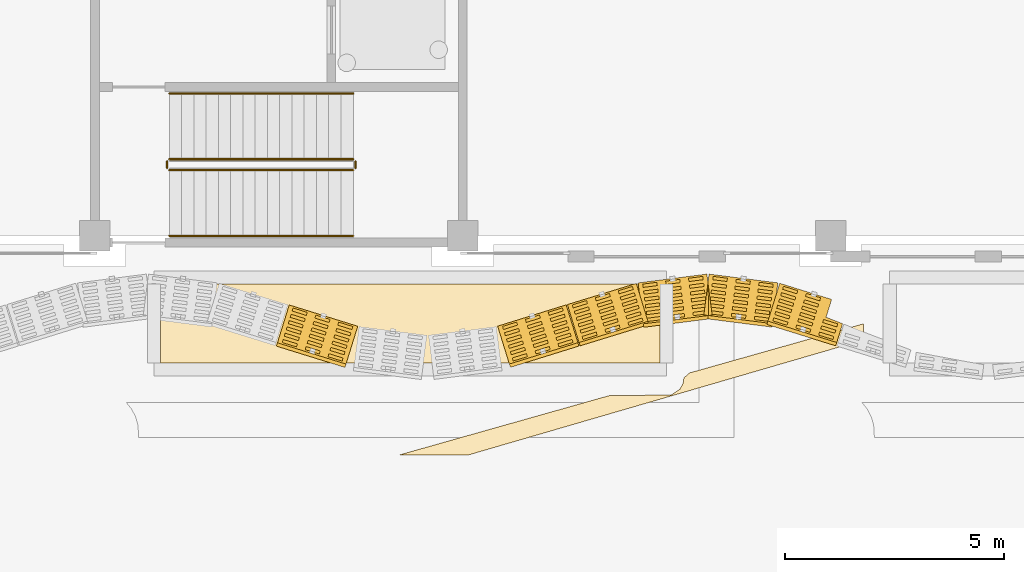
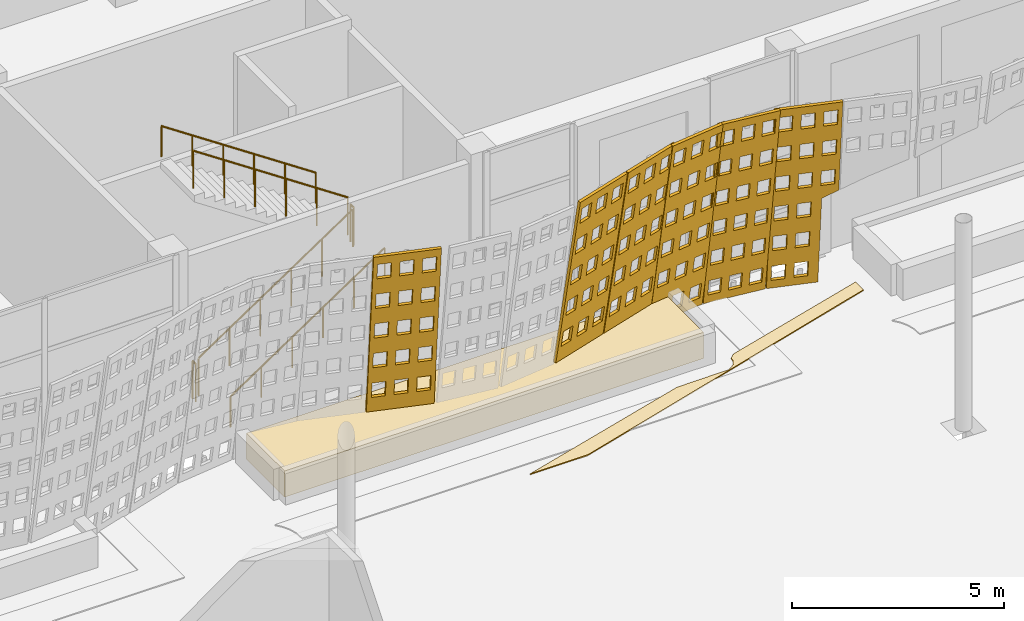
# One storey, part 174 of 210: 8 coverings, 6 railings.
"""IFC4 building model written with IfcOpenShell, lengths in metres."""

from ifc_helpers import new_model, si_unit, direction, frame, origin, origin_2d, place, context, subcontext, project, spatial, polyline, rectangle, circle, outline, extrude, material, layer, layer_set, type_object, element, save


model = new_model("IFC4")

# Units and contexts
model_context = context("Model", 3, precision=1e-05, world=origin(), true_north=direction((0.0, 1.0)))
body_context = subcontext(model_context, "Body", "Model", "MODEL_VIEW")
ifc_project = project(units=[si_unit("LENGTHUNIT", "METRE"), si_unit("AREAUNIT", "SQUARE_METRE"), si_unit("VOLUMEUNIT", "CUBIC_METRE"), si_unit("PLANEANGLEUNIT", "RADIAN"), si_unit("MASSUNIT", "GRAM", prefix="KILO")], contexts=[model_context])

# Site, building, storey
site_placement = place(None, origin())
site = spatial("IfcSite", under=ifc_project, at=site_placement, CompositionType="ELEMENT")
building_placement = place(site_placement, origin())
building = spatial("IfcBuilding", under=site, at=building_placement, Name="Rain Tree Exposition and Congress Centre", CompositionType="ELEMENT")
storey_placement = place(building_placement, origin())
storey = spatial("IfcBuildingStorey", under=building, at=storey_placement, Name="L00", CompositionType="ELEMENT", Elevation=0.0)

# Railings
ifc_material_1 = material(Name="Aluminium and glass balustrade", Category="aluminium")
railing_type_1 = type_object("IfcRailingType", Name="Concourse guard 1100", PredefinedType="GUARDRAIL", material=ifc_material_1)
railing_1_placement = place(storey_placement, frame((77.300048828125, 77.10009765625, 0.1875)))
element("IfcRailing", 1, at=railing_1_placement, inside=storey, type_object=railing_type_1, Name="L00 ST-C2 stair guard 1", PredefinedType="GUARDRAIL", context=body_context, shape_type="SweptSolid", body=[
    extrude(circle(Radius=0.02392578125, at=origin_2d()), frame((0.0, 0.0, 1.076171875), z_axis=(0.830904186295, 0.0, 0.556415522067), x_axis=(0.0, 1.0, 0.0)), (0.0, 0.0, 1.0), 5.0546875),
    extrude(circle(Radius=0.02099609375, at=origin_2d()), origin(), (0.0, 0.0, 1.0), 1.052001953125),
    extrude(circle(Radius=0.02099609375, at=origin_2d()), frame((0.840087890625, 0.0, 0.5625)), (0.0, 0.0, 1.0), 1.052001953125),
    extrude(circle(Radius=0.02099609375, at=origin_2d()), frame((1.679931640625, 0.0, 1.125)), (0.0, 0.0, 1.0), 1.052001953125),
    extrude(circle(Radius=0.02099609375, at=origin_2d()), frame((2.52001953125, 0.0, 1.6875)), (0.0, 0.0, 1.0), 1.052001953125),
    extrude(circle(Radius=0.02099609375, at=origin_2d()), frame((3.35986328125, 0.0, 2.25)), (0.0, 0.0, 1.0), 1.052001953125),
    extrude(circle(Radius=0.02099609375, at=origin_2d()), frame((4.199951171875, 0.0, 2.8125)), (0.0, 0.0, 1.0), 1.052001953125),
])
railing_2_placement = place(storey_placement, frame((81.550048828125, 77.14990234375, 3.0)))
element("IfcRailing", 2, at=railing_2_placement, inside=storey, type_object=railing_type_1, Name="L00 ST-C2 stair guard 2", PredefinedType="GUARDRAIL", context=body_context, shape_type="SweptSolid", body=[
    extrude(circle(Radius=0.02392578125, at=origin_2d()), frame((0.0, 0.0, 1.076171875), z_axis=(0.0, 1.0, 0.0), x_axis=(-1.0, 0.0, 0.0)), (0.0, 0.0, 1.0), 0.150146484375),
    extrude(circle(Radius=0.02099609375, at=origin_2d()), origin(), (0.0, 0.0, 1.0), 1.052001953125),
    extrude(circle(Radius=0.02099609375, at=origin_2d()), frame((0.0, 0.150146484375, 0.0)), (0.0, 0.0, 1.0), 1.052001953125),
])
railing_3_placement = place(storey_placement, frame((81.5, 77.35009765625, 3.1875)))
element("IfcRailing", 3, at=railing_3_placement, inside=storey, type_object=railing_type_1, Name="L00 ST-C2 stair guard 3", PredefinedType="GUARDRAIL", context=body_context, shape_type="SweptSolid", body=[
    extrude(circle(Radius=0.02392578125, at=origin_2d()), frame((0.0, 0.0, 1.076171875), z_axis=(-0.830904186295, 0.0, 0.556415522067), x_axis=(0.0, -1.0, 0.0)), (0.0, 0.0, 1.0), 5.0546875),
    extrude(circle(Radius=0.02099609375, at=origin_2d()), origin(), (0.0, 0.0, 1.0), 1.052001953125),
    extrude(circle(Radius=0.02099609375, at=origin_2d()), frame((-0.840087890625, 0.0, 0.5625)), (0.0, 0.0, 1.0), 1.052001953125),
    extrude(circle(Radius=0.02099609375, at=origin_2d()), frame((-1.679931640625, 0.0, 1.125)), (0.0, 0.0, 1.0), 1.052001953125),
    extrude(circle(Radius=0.02099609375, at=origin_2d()), frame((-2.52001953125, 0.0, 1.6875)), (0.0, 0.0, 1.0), 1.052001953125),
    extrude(circle(Radius=0.02099609375, at=origin_2d()), frame((-3.35986328125, 0.0, 2.25)), (0.0, 0.0, 1.0), 1.052001953125),
    extrude(circle(Radius=0.02099609375, at=origin_2d()), frame((-4.199951171875, 0.0, 2.8125)), (0.0, 0.0, 1.0), 1.052001953125),
])
railing_4_placement = place(storey_placement, frame((77.25, 77.14990234375, 0.0)))
element("IfcRailing", 4, at=railing_4_placement, inside=storey, type_object=railing_type_1, Name="L00 ST-C2 stair guard 4", PredefinedType="GUARDRAIL", context=body_context, shape_type="SweptSolid", body=[
    extrude(circle(Radius=0.02392578125, at=origin_2d()), frame((0.0, 0.0, 1.076171875), z_axis=(0.0, 1.0, 0.0), x_axis=(-1.0, 0.0, 0.0)), (0.0, 0.0, 1.0), 0.150146484375),
    extrude(circle(Radius=0.02099609375, at=origin_2d()), origin(), (0.0, 0.0, 1.0), 1.052001953125),
    extrude(circle(Radius=0.02099609375, at=origin_2d()), frame((0.0, 0.150146484375, 0.0)), (0.0, 0.0, 1.0), 1.052001953125),
])
ifc_material_2 = material(Name="Aluminium handrail", Category="aluminium")
railing_type_2 = type_object("IfcRailingType", Name="Concourse handrail 900", PredefinedType="HANDRAIL", material=ifc_material_2)
railing_5_placement = place(storey_placement, frame((77.300048828125, 75.60009765625, 0.1875)))
element("IfcRailing", 5, at=railing_5_placement, inside=storey, type_object=railing_type_2, Name="L00 ST-C2 stair handrail 1", PredefinedType="HANDRAIL", context=body_context, shape_type="SweptSolid", body=[
    extrude(circle(Radius=0.02392578125, at=origin_2d()), frame((0.0, 0.0, 0.8759765625), z_axis=(0.830904186295, 0.0, 0.556415522067), x_axis=(0.0, 1.0, 0.0)), (0.0, 0.0, 1.0), 5.0546875),
    extrude(circle(Radius=0.02099609375, at=origin_2d()), origin(), (0.0, 0.0, 1.0), 0.851806640625),
    extrude(circle(Radius=0.02099609375, at=origin_2d()), frame((0.840087890625, 0.0, 0.5625)), (0.0, 0.0, 1.0), 0.851806640625),
    extrude(circle(Radius=0.02099609375, at=origin_2d()), frame((1.679931640625, 0.0, 1.125)), (0.0, 0.0, 1.0), 0.851806640625),
    extrude(circle(Radius=0.02099609375, at=origin_2d()), frame((2.52001953125, 0.0, 1.6875)), (0.0, 0.0, 1.0), 0.851806640625),
    extrude(circle(Radius=0.02099609375, at=origin_2d()), frame((3.35986328125, 0.0, 2.25)), (0.0, 0.0, 1.0), 0.851806640625),
    extrude(circle(Radius=0.02099609375, at=origin_2d()), frame((4.199951171875, 0.0, 2.8125)), (0.0, 0.0, 1.0), 0.851806640625),
])
railing_6_placement = place(storey_placement, frame((81.5, 78.85009765625, 3.1875)))
element("IfcRailing", 6, at=railing_6_placement, inside=storey, type_object=railing_type_2, Name="L00 ST-C2 stair handrail 2", PredefinedType="HANDRAIL", context=body_context, shape_type="SweptSolid", body=[
    extrude(circle(Radius=0.02392578125, at=origin_2d()), frame((0.0, 0.0, 0.8759765625), z_axis=(-0.830904186295, 0.0, 0.556415522067), x_axis=(0.0, -1.0, 0.0)), (0.0, 0.0, 1.0), 5.0546875),
    extrude(circle(Radius=0.02099609375, at=origin_2d()), origin(), (0.0, 0.0, 1.0), 0.851806640625),
    extrude(circle(Radius=0.02099609375, at=origin_2d()), frame((-0.840087890625, 0.0, 0.5625)), (0.0, 0.0, 1.0), 0.851806640625),
    extrude(circle(Radius=0.02099609375, at=origin_2d()), frame((-1.679931640625, 0.0, 1.125)), (0.0, 0.0, 1.0), 0.851806640625),
    extrude(circle(Radius=0.02099609375, at=origin_2d()), frame((-2.52001953125, 0.0, 1.6875)), (0.0, 0.0, 1.0), 0.851806640625),
    extrude(circle(Radius=0.02099609375, at=origin_2d()), frame((-3.35986328125, 0.0, 2.25)), (0.0, 0.0, 1.0), 0.851806640625),
    extrude(circle(Radius=0.02099609375, at=origin_2d()), frame((-4.199951171875, 0.0, 2.8125)), (0.0, 0.0, 1.0), 0.851806640625),
])

# Coverings
ifc_material_3 = material(Name="Granite paving", Category="masonry")
ifc_layer_1 = layer(ifc_material_3, 0.030029296875)
ifc_layer_set_1 = layer_set([ifc_layer_1], Name="Granite paving")
covering_type_1 = type_object("IfcCoveringType", Name="Granite paving inlay 30", PredefinedType="FLOORING", material=ifc_layer_set_1)
covering_1_placement = place(storey_placement, origin())
element("IfcCovering", 7, at=covering_1_placement, inside=storey, type_object=covering_type_1, Name="Granite paving inlay 2", PredefinedType="FLOORING", context=body_context, shape_type="SweptSolid", body=[
    extrude(outline(polyline([(93.14990234375, 73.22119140625), (93.14990234375, 73.59130859375), (89.175537109375, 72.468505859375), (89.050048828125, 72.35400390625), (89.03271484375, 72.23388671875), (88.959228515625, 72.09619140625), (88.76611328125, 71.96728515625), (87.341064453125, 71.949951171875), (82.56298828125, 70.60009765625), (84.141357421875, 70.60009765625), (93.14990234375, 73.22119140625)])), origin(), (0.0, 0.0, 1.0), 0.030029296875),
])
ifc_material_4 = material(Name="Planting substrate", Category="soil")
ifc_layer_2 = layer(ifc_material_4, 0.75)
ifc_layer_set_2 = layer_set([ifc_layer_2], Name="Planting substrate")
covering_type_2 = type_object("IfcCoveringType", Name="Planting bed substrate 750", PredefinedType="FLOORING", material=ifc_layer_set_2)
covering_2_placement = place(storey_placement, frame((82.800048828125, 73.60009765625, 0.0), z_axis=(0.0, 0.0, 1.0), x_axis=(1.0, 0.0, 0.0)))
element("IfcCovering", 8, at=covering_2_placement, inside=storey, type_object=covering_type_2, Name="Planting bed", PredefinedType="FLOORING", context=body_context, shape_type="SweptSolid", body=[
    extrude(rectangle(XDim=11.39990234375, YDim=1.800048828125, at=origin_2d()), origin(), (0.0, 0.0, 1.0), 0.75),
])
ifc_material_5 = material(Name="Perforated terracotta", Category="masonry")
ifc_layer_3 = layer(ifc_material_5, 0.080078125)
ifc_layer_set_3 = layer_set([ifc_layer_3], Name="Perforated terracotta")
covering_type_3 = type_object("IfcCoveringType", Name="Terracotta screen 80", PredefinedType="CLADDING", material=ifc_layer_set_3)
covering_3_placement = place(storey_placement, frame((80.0, 73.949951171875, 0.0), z_axis=(0.293072736571, 0.943327870838, 0.155694891303), x_axis=(-0.954973588716, 0.296690823679, 0.0)))
element("IfcCovering", 9, at=covering_3_placement, inside=storey, type_object=covering_type_3, Name="concourse/screen/L00/051", PredefinedType="CLADDING", context=body_context, shape_type="SweptSolid", body=[
    extrude(outline(polyline([(-0.014892578125, 0.0), (-1.65283203125, 0.0), (-1.65283203125, 5.80859375), (-0.014892578125, 5.80859375), (-0.014892578125, 0.0)]), holes=[polyline([(-0.11865234375, 0.249755859375), (-0.11865234375, 0.71826171875), (-0.457275390625, 0.71826171875), (-0.457275390625, 0.249755859375), (-0.11865234375, 0.249755859375)]), polyline([(-0.11865234375, 1.218017578125), (-0.11865234375, 1.686279296875), (-0.457275390625, 1.686279296875), (-0.457275390625, 1.218017578125), (-0.11865234375, 1.218017578125)]), polyline([(-0.11865234375, 2.18603515625), (-0.11865234375, 2.654541015625), (-0.457275390625, 2.654541015625), (-0.457275390625, 2.18603515625), (-0.11865234375, 2.18603515625)]), polyline([(-0.11865234375, 3.154052734375), (-0.11865234375, 3.62255859375), (-0.457275390625, 3.62255859375), (-0.457275390625, 3.154052734375), (-0.11865234375, 3.154052734375)]), polyline([(-0.11865234375, 4.122314453125), (-0.11865234375, 4.5908203125), (-0.457275390625, 4.5908203125), (-0.457275390625, 4.122314453125), (-0.11865234375, 4.122314453125)]), polyline([(-0.11865234375, 5.09033203125), (-0.11865234375, 5.558837890625), (-0.457275390625, 5.558837890625), (-0.457275390625, 5.09033203125), (-0.11865234375, 5.09033203125)]), polyline([(-0.664794921875, 0.249755859375), (-0.664794921875, 0.71826171875), (-1.003173828125, 0.71826171875), (-1.003173828125, 0.249755859375), (-0.664794921875, 0.249755859375)]), polyline([(-0.664794921875, 1.218017578125), (-0.664794921875, 1.686279296875), (-1.003173828125, 1.686279296875), (-1.003173828125, 1.218017578125), (-0.664794921875, 1.218017578125)]), polyline([(-0.664794921875, 2.18603515625), (-0.664794921875, 2.654541015625), (-1.003173828125, 2.654541015625), (-1.003173828125, 2.18603515625), (-0.664794921875, 2.18603515625)]), polyline([(-0.664794921875, 3.154052734375), (-0.664794921875, 3.62255859375), (-1.003173828125, 3.62255859375), (-1.003173828125, 3.154052734375), (-0.664794921875, 3.154052734375)]), polyline([(-0.664794921875, 4.122314453125), (-0.664794921875, 4.5908203125), (-1.003173828125, 4.5908203125), (-1.003173828125, 4.122314453125), (-0.664794921875, 4.122314453125)]), polyline([(-0.664794921875, 5.09033203125), (-0.664794921875, 5.558837890625), (-1.003173828125, 5.558837890625), (-1.003173828125, 5.09033203125), (-0.664794921875, 5.09033203125)]), polyline([(-1.210693359375, 0.249755859375), (-1.210693359375, 0.71826171875), (-1.54931640625, 0.71826171875), (-1.54931640625, 0.249755859375), (-1.210693359375, 0.249755859375)]), polyline([(-1.210693359375, 1.218017578125), (-1.210693359375, 1.686279296875), (-1.54931640625, 1.686279296875), (-1.54931640625, 1.218017578125), (-1.210693359375, 1.218017578125)]), polyline([(-1.210693359375, 2.18603515625), (-1.210693359375, 2.654541015625), (-1.54931640625, 2.654541015625), (-1.54931640625, 2.18603515625), (-1.210693359375, 2.18603515625)]), polyline([(-1.210693359375, 3.154052734375), (-1.210693359375, 3.62255859375), (-1.54931640625, 3.62255859375), (-1.54931640625, 3.154052734375), (-1.210693359375, 3.154052734375)]), polyline([(-1.210693359375, 4.122314453125), (-1.210693359375, 4.5908203125), (-1.54931640625, 4.5908203125), (-1.54931640625, 4.122314453125), (-1.210693359375, 4.122314453125)]), polyline([(-1.210693359375, 5.09033203125), (-1.210693359375, 5.558837890625), (-1.54931640625, 5.558837890625), (-1.54931640625, 5.09033203125), (-1.210693359375, 5.09033203125)])]), origin(), (0.0, 0.0, 1.0), 0.080078125),
])
covering_4_placement = place(storey_placement, frame((84.800048828125, 73.455078125, 0.0), z_axis=(-0.293072736571, 0.943327870838, 0.155694891303), x_axis=(-0.954973588716, -0.296690823679, 0.0)))
element("IfcCovering", 10, at=covering_4_placement, inside=storey, type_object=covering_type_3, Name="concourse/screen/L00/054", PredefinedType="CLADDING", context=body_context, shape_type="SweptSolid", body=[
    extrude(outline(polyline([(-0.02197265625, 0.0), (-1.659912109375, 0.0), (-1.659912109375, 5.80859375), (-0.02197265625, 5.80859375), (-0.02197265625, 0.0)]), holes=[polyline([(-0.125732421875, 0.249755859375), (-0.125732421875, 0.71826171875), (-0.464111328125, 0.71826171875), (-0.464111328125, 0.249755859375), (-0.125732421875, 0.249755859375)]), polyline([(-0.125732421875, 1.218017578125), (-0.125732421875, 1.686279296875), (-0.464111328125, 1.686279296875), (-0.464111328125, 1.218017578125), (-0.125732421875, 1.218017578125)]), polyline([(-0.125732421875, 2.18603515625), (-0.125732421875, 2.654541015625), (-0.464111328125, 2.654541015625), (-0.464111328125, 2.18603515625), (-0.125732421875, 2.18603515625)]), polyline([(-0.125732421875, 3.154052734375), (-0.125732421875, 3.62255859375), (-0.464111328125, 3.62255859375), (-0.464111328125, 3.154052734375), (-0.125732421875, 3.154052734375)]), polyline([(-0.125732421875, 4.122314453125), (-0.125732421875, 4.5908203125), (-0.464111328125, 4.5908203125), (-0.464111328125, 4.122314453125), (-0.125732421875, 4.122314453125)]), polyline([(-0.125732421875, 5.09033203125), (-0.125732421875, 5.558837890625), (-0.464111328125, 5.558837890625), (-0.464111328125, 5.09033203125), (-0.125732421875, 5.09033203125)]), polyline([(-0.671630859375, 0.249755859375), (-0.671630859375, 0.71826171875), (-1.010009765625, 0.71826171875), (-1.010009765625, 0.249755859375), (-0.671630859375, 0.249755859375)]), polyline([(-0.671630859375, 1.218017578125), (-0.671630859375, 1.686279296875), (-1.010009765625, 1.686279296875), (-1.010009765625, 1.218017578125), (-0.671630859375, 1.218017578125)]), polyline([(-0.671630859375, 2.18603515625), (-0.671630859375, 2.654541015625), (-1.010009765625, 2.654541015625), (-1.010009765625, 2.18603515625), (-0.671630859375, 2.18603515625)]), polyline([(-0.671630859375, 3.154052734375), (-0.671630859375, 3.62255859375), (-1.010009765625, 3.62255859375), (-1.010009765625, 3.154052734375), (-0.671630859375, 3.154052734375)]), polyline([(-0.671630859375, 4.122314453125), (-0.671630859375, 4.5908203125), (-1.010009765625, 4.5908203125), (-1.010009765625, 4.122314453125), (-0.671630859375, 4.122314453125)]), polyline([(-0.671630859375, 5.09033203125), (-0.671630859375, 5.558837890625), (-1.010009765625, 5.558837890625), (-1.010009765625, 5.09033203125), (-0.671630859375, 5.09033203125)]), polyline([(-1.217529296875, 0.249755859375), (-1.217529296875, 0.71826171875), (-1.55615234375, 0.71826171875), (-1.55615234375, 0.249755859375), (-1.217529296875, 0.249755859375)]), polyline([(-1.217529296875, 1.218017578125), (-1.217529296875, 1.686279296875), (-1.55615234375, 1.686279296875), (-1.55615234375, 1.218017578125), (-1.217529296875, 1.218017578125)]), polyline([(-1.217529296875, 2.18603515625), (-1.217529296875, 2.654541015625), (-1.55615234375, 2.654541015625), (-1.55615234375, 2.18603515625), (-1.217529296875, 2.18603515625)]), polyline([(-1.217529296875, 3.154052734375), (-1.217529296875, 3.62255859375), (-1.55615234375, 3.62255859375), (-1.55615234375, 3.154052734375), (-1.217529296875, 3.154052734375)]), polyline([(-1.217529296875, 4.122314453125), (-1.217529296875, 4.5908203125), (-1.55615234375, 4.5908203125), (-1.55615234375, 4.122314453125), (-1.217529296875, 4.122314453125)]), polyline([(-1.217529296875, 5.09033203125), (-1.217529296875, 5.558837890625), (-1.55615234375, 5.558837890625), (-1.55615234375, 5.09033203125), (-1.217529296875, 5.09033203125)])]), origin(), (0.0, 0.0, 1.0), 0.080078125),
])
covering_5_placement = place(storey_placement, frame((86.39990234375, 73.949951171875, 0.0), z_axis=(-0.290278371326, 0.94416859726, 0.155833651975), x_axis=(-0.955845867297, -0.293868470528, 0.0)))
element("IfcCovering", 11, at=covering_5_placement, inside=storey, type_object=covering_type_3, Name="concourse/screen/L00/055", PredefinedType="CLADDING", context=body_context, shape_type="SweptSolid", body=[
    extrude(outline(polyline([(-0.014892578125, 0.0), (-1.659912109375, 0.0), (-1.659912109375, 5.80859375), (-0.014892578125, 5.80859375), (-0.014892578125, 0.0)]), holes=[polyline([(-0.119140625, 0.249755859375), (-0.119140625, 0.71826171875), (-0.458984375, 0.71826171875), (-0.458984375, 0.249755859375), (-0.119140625, 0.249755859375)]), polyline([(-0.119140625, 1.218017578125), (-0.119140625, 1.686279296875), (-0.458984375, 1.686279296875), (-0.458984375, 1.218017578125), (-0.119140625, 1.218017578125)]), polyline([(-0.119140625, 2.18603515625), (-0.119140625, 2.654541015625), (-0.458984375, 2.654541015625), (-0.458984375, 2.18603515625), (-0.119140625, 2.18603515625)]), polyline([(-0.119140625, 3.154052734375), (-0.119140625, 3.62255859375), (-0.458984375, 3.62255859375), (-0.458984375, 3.154052734375), (-0.119140625, 3.154052734375)]), polyline([(-0.119140625, 4.122314453125), (-0.119140625, 4.5908203125), (-0.458984375, 4.5908203125), (-0.458984375, 4.122314453125), (-0.119140625, 4.122314453125)]), polyline([(-0.119140625, 5.09033203125), (-0.119140625, 5.558837890625), (-0.458984375, 5.558837890625), (-0.458984375, 5.09033203125), (-0.119140625, 5.09033203125)]), polyline([(-0.66748046875, 0.249755859375), (-0.66748046875, 0.71826171875), (-1.00732421875, 0.71826171875), (-1.00732421875, 0.249755859375), (-0.66748046875, 0.249755859375)]), polyline([(-0.66748046875, 1.218017578125), (-0.66748046875, 1.686279296875), (-1.00732421875, 1.686279296875), (-1.00732421875, 1.218017578125), (-0.66748046875, 1.218017578125)]), polyline([(-0.66748046875, 2.18603515625), (-0.66748046875, 2.654541015625), (-1.00732421875, 2.654541015625), (-1.00732421875, 2.18603515625), (-0.66748046875, 2.18603515625)]), polyline([(-0.66748046875, 3.154052734375), (-0.66748046875, 3.62255859375), (-1.00732421875, 3.62255859375), (-1.00732421875, 3.154052734375), (-0.66748046875, 3.154052734375)]), polyline([(-0.66748046875, 4.122314453125), (-0.66748046875, 4.5908203125), (-1.00732421875, 4.5908203125), (-1.00732421875, 4.122314453125), (-0.66748046875, 4.122314453125)]), polyline([(-0.66748046875, 5.09033203125), (-0.66748046875, 5.558837890625), (-1.00732421875, 5.558837890625), (-1.00732421875, 5.09033203125), (-0.66748046875, 5.09033203125)]), polyline([(-1.2158203125, 0.249755859375), (-1.2158203125, 0.71826171875), (-1.5556640625, 0.71826171875), (-1.5556640625, 0.249755859375), (-1.2158203125, 0.249755859375)]), polyline([(-1.2158203125, 1.218017578125), (-1.2158203125, 1.686279296875), (-1.5556640625, 1.686279296875), (-1.5556640625, 1.218017578125), (-1.2158203125, 1.218017578125)]), polyline([(-1.2158203125, 2.18603515625), (-1.2158203125, 2.654541015625), (-1.5556640625, 2.654541015625), (-1.5556640625, 2.18603515625), (-1.2158203125, 2.18603515625)]), polyline([(-1.2158203125, 3.154052734375), (-1.2158203125, 3.62255859375), (-1.5556640625, 3.62255859375), (-1.5556640625, 3.154052734375), (-1.2158203125, 3.154052734375)]), polyline([(-1.2158203125, 4.122314453125), (-1.2158203125, 4.5908203125), (-1.5556640625, 4.5908203125), (-1.5556640625, 4.122314453125), (-1.2158203125, 4.122314453125)]), polyline([(-1.2158203125, 5.09033203125), (-1.2158203125, 5.558837890625), (-1.5556640625, 5.558837890625), (-1.5556640625, 5.09033203125), (-1.2158203125, 5.09033203125)])]), origin(), (0.0, 0.0, 1.0), 0.079833984375),
])
covering_6_placement = place(storey_placement, frame((88.0, 74.445068359375, 0.0), z_axis=(-0.125405134464, 0.978771781185, 0.162109076259), x_axis=(-0.991891686382, -0.127086122318, 0.0)))
element("IfcCovering", 12, at=covering_6_placement, inside=storey, type_object=covering_type_3, Name="concourse/screen/L00/056", PredefinedType="CLADDING", context=body_context, shape_type="SweptSolid", body=[
    extrude(outline(polyline([(-0.014892578125, 0.0), (-1.59814453125, 0.0), (-1.59814453125, 5.813720703125), (-0.014892578125, 5.813720703125), (-0.014892578125, 0.0)]), holes=[polyline([(-0.115234375, 0.25), (-0.115234375, 0.718994140625), (-0.4423828125, 0.718994140625), (-0.4423828125, 0.25), (-0.115234375, 0.25)]), polyline([(-0.115234375, 1.218994140625), (-0.115234375, 1.687744140625), (-0.4423828125, 1.687744140625), (-0.4423828125, 1.218994140625), (-0.115234375, 1.218994140625)]), polyline([(-0.115234375, 2.18798828125), (-0.115234375, 2.65673828125), (-0.4423828125, 2.65673828125), (-0.4423828125, 2.18798828125), (-0.115234375, 2.18798828125)]), polyline([(-0.115234375, 3.156982421875), (-0.115234375, 3.625732421875), (-0.4423828125, 3.625732421875), (-0.4423828125, 3.156982421875), (-0.115234375, 3.156982421875)]), polyline([(-0.115234375, 4.125732421875), (-0.115234375, 4.594482421875), (-0.4423828125, 4.594482421875), (-0.4423828125, 4.125732421875), (-0.115234375, 4.125732421875)]), polyline([(-0.115234375, 5.0947265625), (-0.115234375, 5.563720703125), (-0.4423828125, 5.563720703125), (-0.4423828125, 5.0947265625), (-0.115234375, 5.0947265625)]), polyline([(-0.64306640625, 0.25), (-0.64306640625, 0.718994140625), (-0.97021484375, 0.718994140625), (-0.97021484375, 0.25), (-0.64306640625, 0.25)]), polyline([(-0.64306640625, 1.218994140625), (-0.64306640625, 1.687744140625), (-0.97021484375, 1.687744140625), (-0.97021484375, 1.218994140625), (-0.64306640625, 1.218994140625)]), polyline([(-0.64306640625, 2.18798828125), (-0.64306640625, 2.65673828125), (-0.97021484375, 2.65673828125), (-0.97021484375, 2.18798828125), (-0.64306640625, 2.18798828125)]), polyline([(-0.64306640625, 3.156982421875), (-0.64306640625, 3.625732421875), (-0.97021484375, 3.625732421875), (-0.97021484375, 3.156982421875), (-0.64306640625, 3.156982421875)]), polyline([(-0.64306640625, 4.125732421875), (-0.64306640625, 4.594482421875), (-0.97021484375, 4.594482421875), (-0.97021484375, 4.125732421875), (-0.64306640625, 4.125732421875)]), polyline([(-0.64306640625, 5.0947265625), (-0.64306640625, 5.563720703125), (-0.97021484375, 5.563720703125), (-0.97021484375, 5.0947265625), (-0.64306640625, 5.0947265625)]), polyline([(-1.170654296875, 0.25), (-1.170654296875, 0.718994140625), (-1.497802734375, 0.718994140625), (-1.497802734375, 0.25), (-1.170654296875, 0.25)]), polyline([(-1.170654296875, 1.218994140625), (-1.170654296875, 1.687744140625), (-1.497802734375, 1.687744140625), (-1.497802734375, 1.218994140625), (-1.170654296875, 1.218994140625)]), polyline([(-1.170654296875, 2.18798828125), (-1.170654296875, 2.65673828125), (-1.497802734375, 2.65673828125), (-1.497802734375, 2.18798828125), (-1.170654296875, 2.18798828125)]), polyline([(-1.170654296875, 3.156982421875), (-1.170654296875, 3.625732421875), (-1.497802734375, 3.625732421875), (-1.497802734375, 3.156982421875), (-1.170654296875, 3.156982421875)]), polyline([(-1.170654296875, 4.125732421875), (-1.170654296875, 4.594482421875), (-1.497802734375, 4.594482421875), (-1.497802734375, 4.125732421875), (-1.170654296875, 4.125732421875)]), polyline([(-1.170654296875, 5.0947265625), (-1.170654296875, 5.563720703125), (-1.497802734375, 5.563720703125), (-1.497802734375, 5.0947265625), (-1.170654296875, 5.0947265625)])]), origin(), (0.0, 0.0, 1.0), 0.079833984375),
])
covering_7_placement = place(storey_placement, frame((89.60009765625, 74.64990234375, 0.0), z_axis=(0.125030801275, 0.978899688033, 0.161625182136), x_axis=(-0.991941518713, 0.126696580272, 0.0)))
element("IfcCovering", 13, at=covering_7_placement, inside=storey, type_object=covering_type_3, Name="concourse/screen/L00/057", PredefinedType="CLADDING", context=body_context, shape_type="SweptSolid", body=[
    extrude(outline(polyline([(-0.014892578125, 0.0), (-1.59814453125, 0.0), (-1.59814453125, 5.813720703125), (-0.014892578125, 5.813720703125), (-0.014892578125, 0.0)]), holes=[polyline([(-0.115234375, 0.25), (-0.115234375, 0.718994140625), (-0.4423828125, 0.718994140625), (-0.4423828125, 0.25), (-0.115234375, 0.25)]), polyline([(-0.115234375, 1.218994140625), (-0.115234375, 1.687744140625), (-0.4423828125, 1.687744140625), (-0.4423828125, 1.218994140625), (-0.115234375, 1.218994140625)]), polyline([(-0.115234375, 2.18798828125), (-0.115234375, 2.65673828125), (-0.4423828125, 2.65673828125), (-0.4423828125, 2.18798828125), (-0.115234375, 2.18798828125)]), polyline([(-0.115234375, 3.156982421875), (-0.115234375, 3.625732421875), (-0.4423828125, 3.625732421875), (-0.4423828125, 3.156982421875), (-0.115234375, 3.156982421875)]), polyline([(-0.115234375, 4.125732421875), (-0.115234375, 4.594482421875), (-0.4423828125, 4.594482421875), (-0.4423828125, 4.125732421875), (-0.115234375, 4.125732421875)]), polyline([(-0.115234375, 5.0947265625), (-0.115234375, 5.563720703125), (-0.4423828125, 5.563720703125), (-0.4423828125, 5.0947265625), (-0.115234375, 5.0947265625)]), polyline([(-0.64306640625, 0.25), (-0.64306640625, 0.718994140625), (-0.97021484375, 0.718994140625), (-0.97021484375, 0.25), (-0.64306640625, 0.25)]), polyline([(-0.64306640625, 1.218994140625), (-0.64306640625, 1.687744140625), (-0.97021484375, 1.687744140625), (-0.97021484375, 1.218994140625), (-0.64306640625, 1.218994140625)]), polyline([(-0.64306640625, 2.18798828125), (-0.64306640625, 2.65673828125), (-0.97021484375, 2.65673828125), (-0.97021484375, 2.18798828125), (-0.64306640625, 2.18798828125)]), polyline([(-0.64306640625, 3.156982421875), (-0.64306640625, 3.625732421875), (-0.97021484375, 3.625732421875), (-0.97021484375, 3.156982421875), (-0.64306640625, 3.156982421875)]), polyline([(-0.64306640625, 4.125732421875), (-0.64306640625, 4.594482421875), (-0.97021484375, 4.594482421875), (-0.97021484375, 4.125732421875), (-0.64306640625, 4.125732421875)]), polyline([(-0.64306640625, 5.0947265625), (-0.64306640625, 5.563720703125), (-0.97021484375, 5.563720703125), (-0.97021484375, 5.0947265625), (-0.64306640625, 5.0947265625)]), polyline([(-1.170654296875, 0.25), (-1.170654296875, 0.718994140625), (-1.497802734375, 0.718994140625), (-1.497802734375, 0.25), (-1.170654296875, 0.25)]), polyline([(-1.170654296875, 1.218994140625), (-1.170654296875, 1.687744140625), (-1.497802734375, 1.687744140625), (-1.497802734375, 1.218994140625), (-1.170654296875, 1.218994140625)]), polyline([(-1.170654296875, 2.18798828125), (-1.170654296875, 2.65673828125), (-1.497802734375, 2.65673828125), (-1.497802734375, 2.18798828125), (-1.170654296875, 2.18798828125)]), polyline([(-1.170654296875, 3.156982421875), (-1.170654296875, 3.625732421875), (-1.497802734375, 3.625732421875), (-1.497802734375, 3.156982421875), (-1.170654296875, 3.156982421875)]), polyline([(-1.170654296875, 4.125732421875), (-1.170654296875, 4.594482421875), (-1.497802734375, 4.594482421875), (-1.497802734375, 4.125732421875), (-1.170654296875, 4.125732421875)]), polyline([(-1.170654296875, 5.0947265625), (-1.170654296875, 5.563720703125), (-1.497802734375, 5.563720703125), (-1.497802734375, 5.0947265625), (-1.170654296875, 5.0947265625)])]), origin(), (0.0, 0.0, 1.0), 0.080078125),
])
covering_8_placement = place(storey_placement, frame((91.199951171875, 74.445068359375, 0.0), z_axis=(0.293072736571, 0.943327870838, 0.155694891303), x_axis=(-0.954973588716, 0.296690823679, 0.0)))
element("IfcCovering", 14, at=covering_8_placement, inside=storey, type_object=covering_type_3, Name="concourse/screen/L00/058", PredefinedType="CLADDING", context=body_context, shape_type="SweptSolid", body=[
    extrude(outline(polyline([(-0.014892578125, 0.0), (-1.256103515625, 0.0), (-1.256103515625, 2.7333984375), (-1.659912109375, 2.925537109375), (-1.659912109375, 5.80859375), (-0.014892578125, 5.80859375), (-0.014892578125, 0.0)]), holes=[polyline([(-0.119140625, 0.249755859375), (-0.119140625, 0.71826171875), (-0.458984375, 0.71826171875), (-0.458984375, 0.249755859375), (-0.119140625, 0.249755859375)]), polyline([(-0.119140625, 1.218017578125), (-0.119140625, 1.686279296875), (-0.458984375, 1.686279296875), (-0.458984375, 1.218017578125), (-0.119140625, 1.218017578125)]), polyline([(-0.119140625, 2.18603515625), (-0.119140625, 2.654541015625), (-0.458984375, 2.654541015625), (-0.458984375, 2.18603515625), (-0.119140625, 2.18603515625)]), polyline([(-0.119140625, 3.154052734375), (-0.119140625, 3.62255859375), (-0.458984375, 3.62255859375), (-0.458984375, 3.154052734375), (-0.119140625, 3.154052734375)]), polyline([(-0.119140625, 4.122314453125), (-0.119140625, 4.5908203125), (-0.458984375, 4.5908203125), (-0.458984375, 4.122314453125), (-0.119140625, 4.122314453125)]), polyline([(-0.119140625, 5.09033203125), (-0.119140625, 5.558837890625), (-0.458984375, 5.558837890625), (-0.458984375, 5.09033203125), (-0.119140625, 5.09033203125)]), polyline([(-0.66748046875, 0.249755859375), (-0.66748046875, 0.71826171875), (-1.00732421875, 0.71826171875), (-1.00732421875, 0.249755859375), (-0.66748046875, 0.249755859375)]), polyline([(-0.66748046875, 1.218017578125), (-0.66748046875, 1.686279296875), (-1.00732421875, 1.686279296875), (-1.00732421875, 1.218017578125), (-0.66748046875, 1.218017578125)]), polyline([(-0.66748046875, 2.18603515625), (-0.66748046875, 2.654541015625), (-1.00732421875, 2.654541015625), (-1.00732421875, 2.18603515625), (-0.66748046875, 2.18603515625)]), polyline([(-0.66748046875, 3.154052734375), (-0.66748046875, 3.62255859375), (-1.00732421875, 3.62255859375), (-1.00732421875, 3.154052734375), (-0.66748046875, 3.154052734375)]), polyline([(-0.66748046875, 4.122314453125), (-0.66748046875, 4.5908203125), (-1.00732421875, 4.5908203125), (-1.00732421875, 4.122314453125), (-0.66748046875, 4.122314453125)]), polyline([(-0.66748046875, 5.09033203125), (-0.66748046875, 5.558837890625), (-1.00732421875, 5.558837890625), (-1.00732421875, 5.09033203125), (-0.66748046875, 5.09033203125)]), polyline([(-1.2158203125, 3.154052734375), (-1.2158203125, 3.62255859375), (-1.5556640625, 3.62255859375), (-1.5556640625, 3.154052734375), (-1.2158203125, 3.154052734375)]), polyline([(-1.2158203125, 4.122314453125), (-1.2158203125, 4.5908203125), (-1.5556640625, 4.5908203125), (-1.5556640625, 4.122314453125), (-1.2158203125, 4.122314453125)]), polyline([(-1.2158203125, 5.09033203125), (-1.2158203125, 5.558837890625), (-1.5556640625, 5.558837890625), (-1.5556640625, 5.09033203125), (-1.2158203125, 5.09033203125)])]), origin(), (0.0, 0.0, 1.0), 0.080078125),
])

save(model, "model.ifc")
